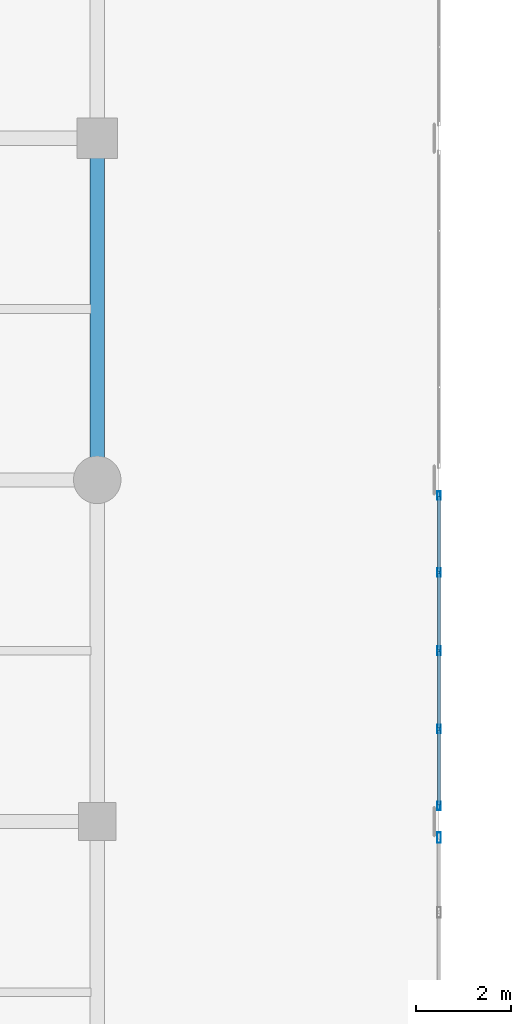
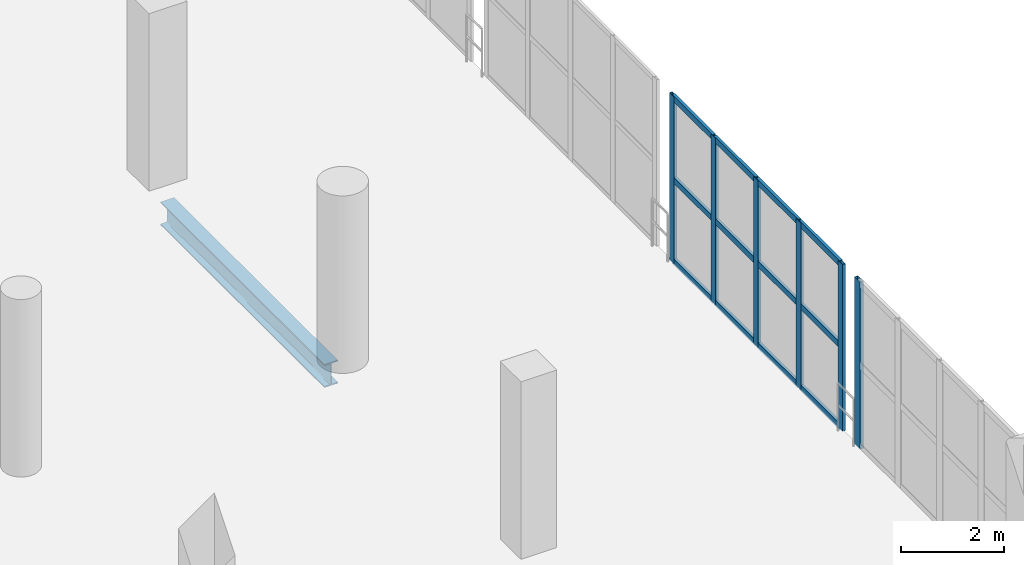
# One storey, part 53 of 153: 18 members, 1 beam, 2 elements without a shape of their own.
"""IFC4 building model written with IfcOpenShell, lengths in metres."""

from ifc_helpers import new_model, si_unit, direction, frame, origin, origin_2d, place, context, subcontext, project, spatial, hollow_rectangle, i_section, extrude, material, material_profile, profile_set, type_object, element, aggregate, save


model = new_model("IFC4")

# Units and contexts
model_context = context("Model", 3, precision=1e-05, world=origin(), true_north=direction((0.0, 1.0)))
body_context = subcontext(model_context, "Body", "Model", "MODEL_VIEW")
ifc_project = project(units=[si_unit("LENGTHUNIT", "METRE"), si_unit("AREAUNIT", "SQUARE_METRE"), si_unit("VOLUMEUNIT", "CUBIC_METRE"), si_unit("PLANEANGLEUNIT", "RADIAN"), si_unit("MASSUNIT", "GRAM", prefix="KILO")], contexts=[model_context])

# Site, building, storey
site_placement = place(None, origin())
site = spatial("IfcSite", under=ifc_project, at=site_placement, CompositionType="ELEMENT")
building_placement = place(site_placement, origin())
building = spatial("IfcBuilding", under=site, at=building_placement, Name="Qandorah Velis Arena", CompositionType="ELEMENT")
storey_placement = place(building_placement, frame((0.0, 0.0, 5.39990234375)))
storey = spatial("IfcBuildingStorey", under=building, at=storey_placement, Name="L01", CompositionType="ELEMENT", Elevation=5.39990234375)

# Curtain wall, members
ifc_material_1 = material(Name="Solar-control low-E double glazing", Category="glass")
curtain_wall_type_1 = type_object("IfcCurtainWallType", Name="ARC-CW-SYS10", PredefinedType="USERDEFINED", material=ifc_material_1)
curtain_wall_1_placement = place(storey_placement, origin())
curtain_wall_1 = element("IfcCurtainWall", 1, at=curtain_wall_1_placement, inside=storey, type_object=curtain_wall_type_1, Name="Unitised curtain wall L01-106", ObjectType="UNITISED CURTAIN WALL", PredefinedType="USERDEFINED")
ifc_material_2 = material(Name="Champagne-bronze anodized aluminium 6063-T6", Category="aluminium")
ifc_material_profile_1 = material_profile(ifc_material_2, hollow_rectangle(XDim=0.06494140625, YDim=0.179931640625, WallThickness=0.00341796875, at=origin_2d()), Name="ALU MULLION 65x180")
ifc_profile_set_1 = profile_set([ifc_material_profile_1], Name="Champagne-bronze anodized aluminium 6063-T6")
member_type_1 = type_object("IfcMemberType", Name="ARC-CWM-180", PredefinedType="MULLION", material=ifc_profile_set_1)
member_1_placement = place(storey_placement, frame((122.39990234375, 65.132568359375, -0.014892578125), z_axis=(0.0, 0.0, 1.0), x_axis=(-1.0, 0.0, 0.0)))
member_1 = element("IfcMember", 2, at=member_1_placement, type_object=member_type_1, Name="CW10 mullion 1", PredefinedType="MULLION", context=body_context, shape_type="SweptSolid", body=[
    extrude(hollow_rectangle(XDim=0.06494140625, YDim=0.179931640625, WallThickness=0.00341796875, at=origin_2d()), origin(), (0.0, 0.0, 1.0), 3.949951171875),
])
member_2_placement = place(storey_placement, frame((122.39990234375, 66.75, -0.014892578125), z_axis=(0.0, 0.0, 1.0), x_axis=(-1.0, 0.0, 0.0)))
member_2 = element("IfcMember", 3, at=member_2_placement, type_object=member_type_1, Name="CW10 mullion 2", PredefinedType="MULLION", context=body_context, shape_type="SweptSolid", body=[
    extrude(hollow_rectangle(XDim=0.06494140625, YDim=0.179931640625, WallThickness=0.00341796875, at=origin_2d()), origin(), (0.0, 0.0, 1.0), 3.949951171875),
])
member_3_placement = place(storey_placement, frame((122.39990234375, 68.39990234375, -0.014892578125), z_axis=(0.0, 0.0, 1.0), x_axis=(-1.0, 0.0, 0.0)))
member_3 = element("IfcMember", 4, at=member_3_placement, type_object=member_type_1, Name="CW10 mullion 3", PredefinedType="MULLION", context=body_context, shape_type="SweptSolid", body=[
    extrude(hollow_rectangle(XDim=0.06494140625, YDim=0.179931640625, WallThickness=0.00341796875, at=origin_2d()), origin(), (0.0, 0.0, 1.0), 3.949951171875),
])
member_4_placement = place(storey_placement, frame((122.39990234375, 70.050048828125, -0.014892578125), z_axis=(0.0, 0.0, 1.0), x_axis=(-1.0, 0.0, 0.0)))
member_4 = element("IfcMember", 5, at=member_4_placement, type_object=member_type_1, Name="CW10 mullion 4", PredefinedType="MULLION", context=body_context, shape_type="SweptSolid", body=[
    extrude(hollow_rectangle(XDim=0.06494140625, YDim=0.179931640625, WallThickness=0.00341796875, at=origin_2d()), origin(), (0.0, 0.0, 1.0), 3.949951171875),
])
member_5_placement = place(storey_placement, frame((122.39990234375, 71.66748046875, -0.014892578125), z_axis=(0.0, 0.0, 1.0), x_axis=(-1.0, 0.0, 0.0)))
member_5 = element("IfcMember", 6, at=member_5_placement, type_object=member_type_1, Name="CW10 mullion 5", PredefinedType="MULLION", context=body_context, shape_type="SweptSolid", body=[
    extrude(hollow_rectangle(XDim=0.06494140625, YDim=0.179931640625, WallThickness=0.00341796875, at=origin_2d()), origin(), (0.0, 0.0, 1.0), 3.949951171875),
])

# Curtain wall, member
curtain_wall_type_2 = type_object("IfcCurtainWallType", Name="ARC-CW-SYS09", PredefinedType="USERDEFINED", material=ifc_material_1)
curtain_wall_2_placement = place(storey_placement, origin())
curtain_wall_2 = element("IfcCurtainWall", 7, at=curtain_wall_2_placement, inside=storey, type_object=curtain_wall_type_2, Name="Unitised curtain wall L01-105", ObjectType="UNITISED CURTAIN WALL", PredefinedType="USERDEFINED")
ifc_material_profile_2 = material_profile(ifc_material_2, hollow_rectangle(XDim=0.074951171875, YDim=0.219970703125, WallThickness=0.00390625, at=origin_2d()), Name="ALU MULLION 75x220")
ifc_profile_set_2 = profile_set([ifc_material_profile_2], Name="Champagne-bronze anodized aluminium 6063-T6")
member_type_2 = type_object("IfcMemberType", Name="ARC-CWM-220", PredefinedType="MULLION", material=ifc_profile_set_2)
member_6_placement = place(storey_placement, frame((122.39990234375, 64.46240234375, -0.014892578125), z_axis=(0.0, 0.0, 1.0), x_axis=(-1.0, 0.0, 0.0)))
member_6 = element("IfcMember", 8, at=member_6_placement, type_object=member_type_2, Name="CW09 mullion 5", PredefinedType="MULLION", context=body_context, shape_type="SweptSolid", body=[
    extrude(hollow_rectangle(XDim=0.074951171875, YDim=0.219970703125, WallThickness=0.00390625, at=origin_2d()), origin(), (0.0, 0.0, 1.0), 3.949951171875),
])
aggregate(curtain_wall_2, [member_6])

# Member
ifc_material_profile_3 = material_profile(ifc_material_2, hollow_rectangle(XDim=0.06494140625, YDim=0.139892578125, WallThickness=0.0029296875, at=origin_2d()), Name="ALU TRANSOM 65x140")
ifc_profile_set_3 = profile_set([ifc_material_profile_3], Name="Champagne-bronze anodized aluminium 6063-T6")
member_type_3 = type_object("IfcMemberType", Name="ARC-CWT-140", PredefinedType="USERDEFINED", material=ifc_profile_set_3)
member_7_placement = place(storey_placement, frame((122.39990234375, 65.153076171875, 0.03271484375), z_axis=(0.0, 1.0, 0.0), x_axis=(-1.0, 0.0, 0.0)))
member_7 = element("IfcMember", 9, at=member_7_placement, type_object=member_type_3, Name="CW10 transom 1.1", ObjectType="TRANSOM", PredefinedType="USERDEFINED", context=body_context, shape_type="SweptSolid", body=[
    extrude(hollow_rectangle(XDim=0.06494140625, YDim=0.139892578125, WallThickness=0.0029296875, at=origin_2d()), origin(), (0.0, 0.0, 1.0), 1.576416015625),
])

member_8_placement = place(storey_placement, frame((122.39990234375, 65.153076171875, 1.960205078125), z_axis=(0.0, 1.0, 0.0), x_axis=(-1.0, 0.0, 0.0)))
member_8 = element("IfcMember", 10, at=member_8_placement, type_object=member_type_3, Name="CW10 transom 1.2", ObjectType="TRANSOM", PredefinedType="USERDEFINED", context=body_context, shape_type="SweptSolid", body=[
    extrude(hollow_rectangle(XDim=0.06494140625, YDim=0.139892578125, WallThickness=0.0029296875, at=origin_2d()), origin(), (0.0, 0.0, 1.0), 1.576416015625),
])

member_9_placement = place(storey_placement, frame((122.39990234375, 65.153076171875, 3.8876953125), z_axis=(0.0, 1.0, 0.0), x_axis=(-1.0, 0.0, 0.0)))
member_9 = element("IfcMember", 11, at=member_9_placement, type_object=member_type_3, Name="CW10 transom 1.3", ObjectType="TRANSOM", PredefinedType="USERDEFINED", context=body_context, shape_type="SweptSolid", body=[
    extrude(hollow_rectangle(XDim=0.06494140625, YDim=0.139892578125, WallThickness=0.0029296875, at=origin_2d()), origin(), (0.0, 0.0, 1.0), 1.576416015625),
])

member_10_placement = place(storey_placement, frame((122.39990234375, 66.7705078125, 0.03271484375), z_axis=(0.0, 1.0, 0.0), x_axis=(-1.0, 0.0, 0.0)))
member_10 = element("IfcMember", 12, at=member_10_placement, type_object=member_type_3, Name="CW10 transom 2.1", ObjectType="TRANSOM", PredefinedType="USERDEFINED", context=body_context, shape_type="SweptSolid", body=[
    extrude(hollow_rectangle(XDim=0.06494140625, YDim=0.139892578125, WallThickness=0.0029296875, at=origin_2d()), origin(), (0.0, 0.0, 1.0), 1.60888671875),
])

member_11_placement = place(storey_placement, frame((122.39990234375, 66.7705078125, 1.960205078125), z_axis=(0.0, 1.0, 0.0), x_axis=(-1.0, 0.0, 0.0)))
member_11 = element("IfcMember", 13, at=member_11_placement, type_object=member_type_3, Name="CW10 transom 2.2", ObjectType="TRANSOM", PredefinedType="USERDEFINED", context=body_context, shape_type="SweptSolid", body=[
    extrude(hollow_rectangle(XDim=0.06494140625, YDim=0.139892578125, WallThickness=0.0029296875, at=origin_2d()), origin(), (0.0, 0.0, 1.0), 1.60888671875),
])

member_12_placement = place(storey_placement, frame((122.39990234375, 66.7705078125, 3.8876953125), z_axis=(0.0, 1.0, 0.0), x_axis=(-1.0, 0.0, 0.0)))
member_12 = element("IfcMember", 14, at=member_12_placement, type_object=member_type_3, Name="CW10 transom 2.3", ObjectType="TRANSOM", PredefinedType="USERDEFINED", context=body_context, shape_type="SweptSolid", body=[
    extrude(hollow_rectangle(XDim=0.06494140625, YDim=0.139892578125, WallThickness=0.0029296875, at=origin_2d()), origin(), (0.0, 0.0, 1.0), 1.60888671875),
])

member_13_placement = place(storey_placement, frame((122.39990234375, 68.42041015625, 0.03271484375), z_axis=(0.0, 1.0, 0.0), x_axis=(-1.0, 0.0, 0.0)))
member_13 = element("IfcMember", 15, at=member_13_placement, type_object=member_type_3, Name="CW10 transom 3.1", ObjectType="TRANSOM", PredefinedType="USERDEFINED", context=body_context, shape_type="SweptSolid", body=[
    extrude(hollow_rectangle(XDim=0.06494140625, YDim=0.139892578125, WallThickness=0.0029296875, at=origin_2d()), origin(), (0.0, 0.0, 1.0), 1.609130859375),
])

member_14_placement = place(storey_placement, frame((122.39990234375, 68.42041015625, 1.960205078125), z_axis=(0.0, 1.0, 0.0), x_axis=(-1.0, 0.0, 0.0)))
member_14 = element("IfcMember", 16, at=member_14_placement, type_object=member_type_3, Name="CW10 transom 3.2", ObjectType="TRANSOM", PredefinedType="USERDEFINED", context=body_context, shape_type="SweptSolid", body=[
    extrude(hollow_rectangle(XDim=0.06494140625, YDim=0.139892578125, WallThickness=0.0029296875, at=origin_2d()), origin(), (0.0, 0.0, 1.0), 1.609130859375),
])

member_15_placement = place(storey_placement, frame((122.39990234375, 68.42041015625, 3.8876953125), z_axis=(0.0, 1.0, 0.0), x_axis=(-1.0, 0.0, 0.0)))
member_15 = element("IfcMember", 17, at=member_15_placement, type_object=member_type_3, Name="CW10 transom 3.3", ObjectType="TRANSOM", PredefinedType="USERDEFINED", context=body_context, shape_type="SweptSolid", body=[
    extrude(hollow_rectangle(XDim=0.06494140625, YDim=0.139892578125, WallThickness=0.0029296875, at=origin_2d()), origin(), (0.0, 0.0, 1.0), 1.609130859375),
])

member_16_placement = place(storey_placement, frame((122.39990234375, 70.070556640625, 0.03271484375), z_axis=(0.0, 1.0, 0.0), x_axis=(-1.0, 0.0, 0.0)))
member_16 = element("IfcMember", 18, at=member_16_placement, type_object=member_type_3, Name="CW10 transom 4.1", ObjectType="TRANSOM", PredefinedType="USERDEFINED", context=body_context, shape_type="SweptSolid", body=[
    extrude(hollow_rectangle(XDim=0.06494140625, YDim=0.139892578125, WallThickness=0.0029296875, at=origin_2d()), origin(), (0.0, 0.0, 1.0), 1.576416015625),
])

member_17_placement = place(storey_placement, frame((122.39990234375, 70.070556640625, 1.960205078125), z_axis=(0.0, 1.0, 0.0), x_axis=(-1.0, 0.0, 0.0)))
member_17 = element("IfcMember", 19, at=member_17_placement, type_object=member_type_3, Name="CW10 transom 4.2", ObjectType="TRANSOM", PredefinedType="USERDEFINED", context=body_context, shape_type="SweptSolid", body=[
    extrude(hollow_rectangle(XDim=0.06494140625, YDim=0.139892578125, WallThickness=0.0029296875, at=origin_2d()), origin(), (0.0, 0.0, 1.0), 1.576416015625),
])

member_18_placement = place(storey_placement, frame((122.39990234375, 70.070556640625, 3.8876953125), z_axis=(0.0, 1.0, 0.0), x_axis=(-1.0, 0.0, 0.0)))
member_18 = element("IfcMember", 20, at=member_18_placement, type_object=member_type_3, Name="CW10 transom 4.3", ObjectType="TRANSOM", PredefinedType="USERDEFINED", context=body_context, shape_type="SweptSolid", body=[
    extrude(hollow_rectangle(XDim=0.06494140625, YDim=0.139892578125, WallThickness=0.0029296875, at=origin_2d()), origin(), (0.0, 0.0, 1.0), 1.576416015625),
])

aggregate(curtain_wall_1, [member_1, member_2, member_3, member_4, member_5, member_7, member_8, member_9, member_10, member_11, member_12, member_13, member_14, member_15, member_16, member_17, member_18])

# Beam
ifc_material_3 = material(Name="Steel S355", Category="steel")
ifc_material_profile_4 = material_profile(ifc_material_3, i_section(OverallWidth=0.300048828125, OverallDepth=0.550048828125, WebThickness=0.014892578125, FlangeThickness=0.029052734375, FilletRadius=0.027099609375, at=origin_2d()), Name="HEB 550")
ifc_profile_set_4 = profile_set([ifc_material_profile_4], Name="Steel S355")
beam_type = type_object("IfcBeamType", Name="STR-BM-HEB550", PredefinedType="BEAM", material=ifc_profile_set_4)
beam_placement = place(storey_placement, frame((115.199951171875, 72.449951171875, -0.635009765625), z_axis=(0.0, 1.0, 0.0), x_axis=(-1.0, 0.0, 0.0)))
element("IfcBeam", 21, at=beam_placement, inside=storey, type_object=beam_type, Name="Primary floor girder L01 Y-386", PredefinedType="BEAM", context=body_context, shape_type="SweptSolid", body=[
    extrude(i_section(OverallWidth=0.300048828125, OverallDepth=0.550048828125, WebThickness=0.014892578125, FlangeThickness=0.029052734375, FilletRadius=0.027099609375, at=origin_2d()), origin(), (0.0, 0.0, 1.0), 6.35009765625),
])

save(model, "model.ifc")
